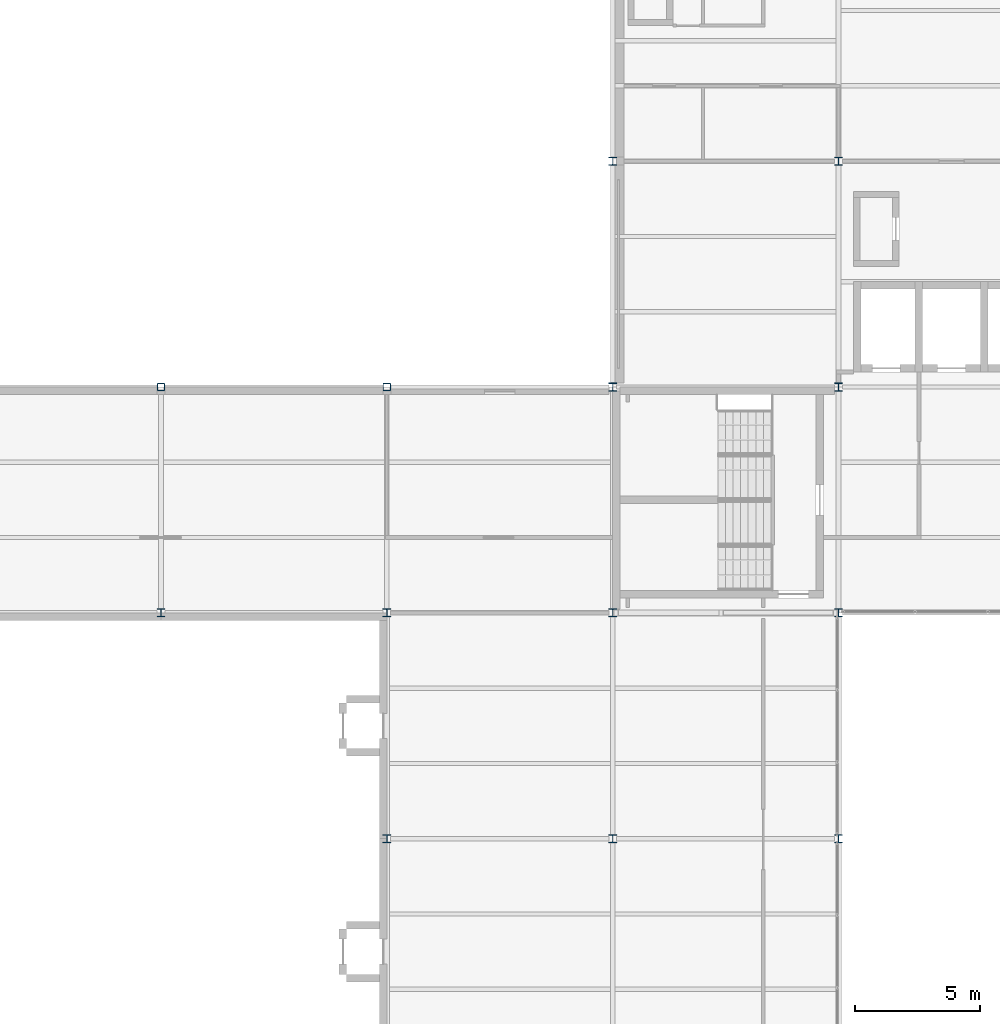
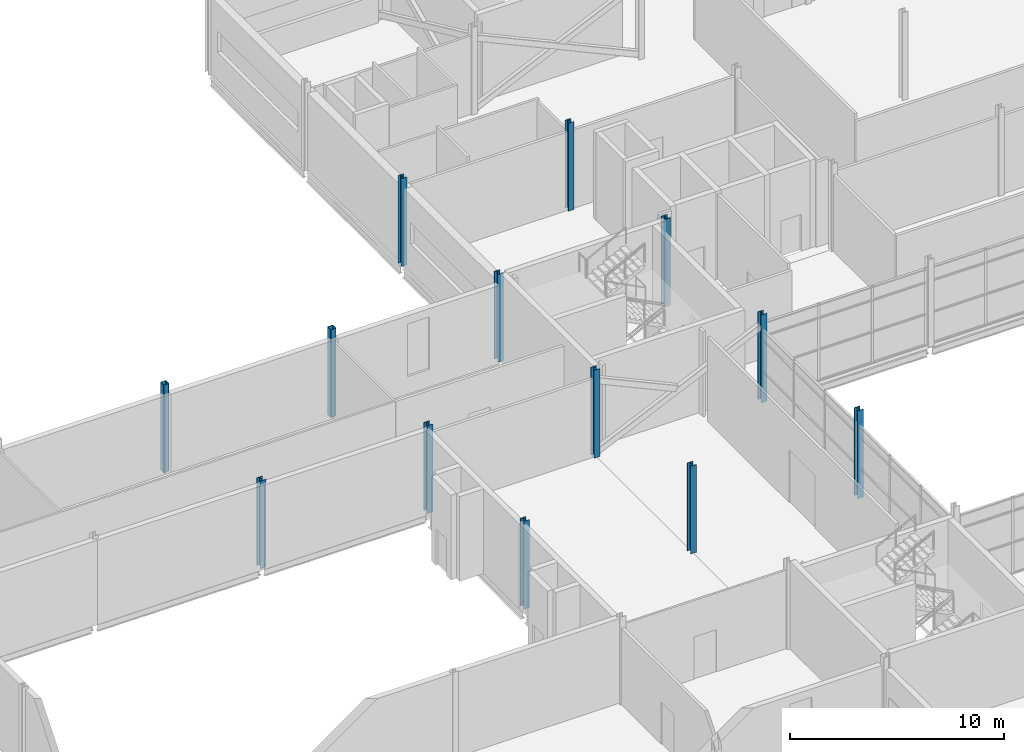
# One storey, part 9 of 112: 13 columns.
"""IFC4 building model written with IfcOpenShell, lengths in metres."""

import ifcopenshell
import ifcopenshell.guid

model = None  # the IFC model being written
_history = None  # IfcOwnerHistory: only IFC2X3 demands one
_inside = {}  # id of a spatial element -> (the spatial element, [elements in it])
_under = {}  # id of a project, library or spatial element -> (it, [spatial elements below it])
_declared = {}  # id of a project -> (the project, [libraries it declares])
_typed = {}  # id of a type object -> (the type object, [elements of that type])
_made_of = {}  # id of a material, layer set ... -> (it, [elements and type objects made of it])


def new_model(schema):
    """Start an empty IFC model of exactly this schema.

    Asked for "IFC4X3", IfcOpenShell would pick the latest addendum, in which some entities
    have other attributes; the version numbers below select the first issue.
    IFC2X3 requires an IfcOwnerHistory on every rooted entity: one is made here for all.
    """
    global model, _history
    if schema == "IFC4X3":
        model = ifcopenshell.file(schema_version=(4, 3, 0, 0))
    else:
        model = ifcopenshell.file(schema=schema)
    _inside.clear()
    _under.clear()
    _declared.clear()
    _typed.clear()
    _made_of.clear()
    _history = None
    if model.schema == "IFC2X3":
        org = make("IfcOrganization", Name="unknown")
        user = make(
            "IfcPersonAndOrganization",
            ThePerson=make("IfcPerson", FamilyName="unknown"),
            TheOrganization=org,
        )
        app = make(
            "IfcApplication",
            ApplicationDeveloper=org,
            Version="unknown",
            ApplicationFullName="unknown",
            ApplicationIdentifier="unknown",
        )
        _history = make(
            "IfcOwnerHistory",
            OwningUser=user,
            OwningApplication=app,
            ChangeAction="ADDED",
            CreationDate=0,
        )
    return model


def make(cls, **values):
    """One entity of the class cls with the attributes given. An attribute that is None is left unset."""
    return model.create_entity(
        cls, **{name: value for name, value in values.items() if value is not None}
    )


def rooted(cls, **values):
    """An entity with a GlobalId (a new one), such as an element, a storey or a relation."""
    return make(cls, GlobalId=ifcopenshell.guid.new(), OwnerHistory=_history, **values)


def si_unit(unit_type, name, prefix=None):
    """IfcSIUnit, for example si_unit("LENGTHUNIT", "METRE", prefix="MILLI")."""
    return make("IfcSIUnit", UnitType=unit_type, Prefix=prefix, Name=name)


def assignment(units):
    """IfcUnitAssignment: the units of a project."""
    return None if units is None else make("IfcUnitAssignment", Units=units)


def point(xyz):
    """IfcCartesianPoint."""
    return None if xyz is None else make("IfcCartesianPoint", Coordinates=xyz)


def direction(xyz):
    """IfcDirection."""
    return None if xyz is None else make("IfcDirection", DirectionRatios=xyz)


def frame(location, z_axis=None, x_axis=None):
    """IfcAxis2Placement3D, a coordinate frame: its origin and axes. An axis left out is left unset."""
    return make(
        "IfcAxis2Placement3D",
        Location=point(location),
        Axis=direction(z_axis),
        RefDirection=direction(x_axis),
    )


def frame_2d(location, x_axis=None):
    """IfcAxis2Placement2D, a coordinate frame in the plane: its origin and x axis."""
    return make(
        "IfcAxis2Placement2D", Location=point(location), RefDirection=direction(x_axis)
    )


def origin():
    """The frame at (0, 0, 0) with its axes left unset."""
    return frame((0.0, 0.0, 0.0))


def origin_2d():
    """The frame at (0, 0) in the plane with its x axis left unset."""
    return frame_2d((0.0, 0.0))


def place(relative_to, where):
    """IfcLocalPlacement: puts the frame where relative to a parent placement (None: the world)."""
    return make(
        "IfcLocalPlacement", PlacementRelTo=relative_to, RelativePlacement=where
    )


def context(
    kind, dimensions, precision=None, world=None, true_north=None, identifier=None
):
    """IfcGeometricRepresentationContext, for example the 3D "Model" context."""
    return make(
        "IfcGeometricRepresentationContext",
        ContextIdentifier=identifier,
        ContextType=kind,
        CoordinateSpaceDimension=dimensions,
        Precision=precision,
        WorldCoordinateSystem=world,
        TrueNorth=true_north,
    )


def subcontext(parent, identifier, kind, view, scale=None):
    """IfcGeometricRepresentationSubContext, for example "Body" below "Model"."""
    return make(
        "IfcGeometricRepresentationSubContext",
        ContextIdentifier=identifier,
        ContextType=kind,
        ParentContext=parent,
        TargetScale=scale,
        TargetView=view,
    )


def project(units=None, contexts=None):
    """IfcProject with its units and contexts."""
    return rooted(
        "IfcProject",
        Name="project",
        RepresentationContexts=contexts,
        UnitsInContext=assignment(units),
    )


def spatial(cls, under=None, at=None, **own):
    """A site, building, storey or space (cls), placed at a placement, below another one or the project."""
    s = rooted(cls, ObjectPlacement=at, **own)
    if under is not None:
        _under.setdefault(under.id(), (under, []))[1].append(s)
    return s


def profile(cls, at=None, kind="AREA", **sizes):
    """A parametric profile (cls). Its sizes go by their IFC names, for example OverallWidth=200.0."""
    return make(cls, ProfileType=kind, Position=at, **sizes)


def hollow_rectangle(**sizes):
    """IfcRectangleHollowProfileDef."""
    return profile("IfcRectangleHollowProfileDef", **sizes)


def i_section(**sizes):
    """IfcIShapeProfileDef."""
    return profile("IfcIShapeProfileDef", **sizes)


def extrude(swept, where, along, depth):
    """IfcExtrudedAreaSolid: the profile swept, set in the frame where, extruded along a direction by depth."""
    return make(
        "IfcExtrudedAreaSolid",
        SweptArea=swept,
        Position=where,
        ExtrudedDirection=direction(along),
        Depth=depth,
    )


def shape(context_of_items, identifier, shape_type, items):
    """IfcShapeRepresentation: the items that make up one representation, for example the "Body"."""
    return make(
        "IfcShapeRepresentation",
        ContextOfItems=context_of_items,
        RepresentationIdentifier=identifier,
        RepresentationType=shape_type,
        Items=items,
    )


def material(Name=None, Category=None):
    """IfcMaterial."""
    return make("IfcMaterial", Name=Name, Category=Category)


def material_profile(
    of_material, cross_section, Name=None, Category=None, Priority=None
):
    """IfcMaterialProfile: a cross section and its material."""
    return make(
        "IfcMaterialProfile",
        Name=Name,
        Material=of_material,
        Profile=cross_section,
        Priority=Priority,
        Category=Category,
    )


def profile_set(profiles, Name=None, composite=None):
    """IfcMaterialProfileSet."""
    return make(
        "IfcMaterialProfileSet",
        Name=Name,
        MaterialProfiles=profiles,
        CompositeProfile=composite,
    )


def made_of(thing, what):
    """Note that an element or type object is made of a material, layer set ...; save() writes the relation."""
    if what is not None:
        _made_of.setdefault(what.id(), (what, []))[1].append(thing)
    return thing


def type_object(cls, material=None, **own):
    """A type object (cls), such as IfcWallType, which elements share."""
    return made_of(rooted(cls, **own), material)


def element(
    cls,
    number,
    at=None,
    inside=None,
    cuts=None,
    type_object=None,
    material=None,
    context=None,
    identifier="Body",
    shape_type=None,
    held_by="IfcProductDefinitionShape",
    body=None,
    shapes=None,
    **own,
):
    """One element of the class cls, such as IfcWall. Its Tag is "e" and its number.

    at: its placement. inside: the storey or other place that contains it. cuts: it is an
    opening in that element (IfcRelVoidsElement). A single representation is given by context,
    identifier, shape_type and body (its items); several are given by shapes. held_by: the class
    of the entity that holds the representations. save() writes the other relations.
    """
    e = rooted(cls, Tag="e%d" % number, ObjectPlacement=at, **own)
    if body is not None:
        shapes = [shape(context, identifier, shape_type, body)]
    if shapes is not None:
        e.Representation = make(held_by, Representations=shapes)
    if inside is not None:
        _inside.setdefault(inside.id(), (inside, []))[1].append(e)
    if cuts is not None:
        rooted(
            "IfcRelVoidsElement", RelatingBuildingElement=cuts, RelatedOpeningElement=e
        )
    if type_object is not None:
        _typed.setdefault(type_object.id(), (type_object, []))[1].append(e)
    return made_of(e, material)


def aggregate(whole, parts):
    """IfcRelAggregates: a whole, such as a stair, and the parts it consists of."""
    return rooted("IfcRelAggregates", RelatingObject=whole, RelatedObjects=parts)


def save(model, path):
    """Write the relations noted so far, then the file.

    IfcRelAggregates (storeys below a building ...), IfcRelContainedInSpatialStructure (elements
    in a storey), IfcRelDefinesByType, IfcRelAssociatesMaterial and IfcRelDeclares: one each for
    every whole, place, type object, material and project.
    """
    for whole, parts in _under.values():
        aggregate(whole, parts)
    for where, things in _inside.values():
        rooted(
            "IfcRelContainedInSpatialStructure",
            RelatedElements=things,
            RelatingStructure=where,
        )
    for kind, things in _typed.values():
        rooted("IfcRelDefinesByType", RelatedObjects=things, RelatingType=kind)
    for what, things in _made_of.values():
        rooted("IfcRelAssociatesMaterial", RelatedObjects=things, RelatingMaterial=what)
    for by, libraries in _declared.values():
        rooted("IfcRelDeclares", RelatingContext=by, RelatedDefinitions=libraries)
    model.write(path)


model = new_model("IFC4")

# Units and contexts
model_context = context("Model", 3, precision=1e-05, world=origin(), true_north=direction((0.0, 1.0)))
body_context = subcontext(model_context, "Body", "Model", "MODEL_VIEW")
ifc_project = project(units=[si_unit("LENGTHUNIT", "METRE"), si_unit("AREAUNIT", "SQUARE_METRE"), si_unit("VOLUMEUNIT", "CUBIC_METRE"), si_unit("PLANEANGLEUNIT", "RADIAN"), si_unit("MASSUNIT", "GRAM", prefix="KILO")], contexts=[model_context])

# Site, building, storey
site_placement = place(None, origin())
site = spatial("IfcSite", under=ifc_project, at=site_placement, CompositionType="ELEMENT")
building_placement = place(site_placement, origin())
building = spatial("IfcBuilding", under=site, at=building_placement, Name="Shorebreak Coast Museum", CompositionType="ELEMENT")
storey_placement = place(building_placement, frame((0.0, 0.0, 6.0)))
storey = spatial("IfcBuildingStorey", under=building, at=storey_placement, Name="L01", CompositionType="ELEMENT", Elevation=6.0)

# Columns
ifc_material_1 = material(Name="Steel Grade C450L0", Category="steel")
ifc_material_profile_1 = material_profile(ifc_material_1, hollow_rectangle(XDim=0.300048828125, YDim=0.300048828125, WallThickness=0.012451171875, InnerFilletRadius=0.018798828125, OuterFilletRadius=0.03125, at=origin_2d()), Name="300x300x12.5 SHS")
ifc_profile_set_1 = profile_set([ifc_material_profile_1], Name="Steel Grade C450L0")
column_type_1 = type_object("IfcColumnType", Name="Column 300x300x12.5 SHS", PredefinedType="COLUMN", material=ifc_profile_set_1)
for number, where, z_axis, x_axis, name in (
    (1, (36.0, 90.0, 0.0), (0.0, 0.0, 1.0), (1.0, 0.0, 0.0), "Column L01 5L"),
    (2, (45.0, 90.0, 0.0), (0.0, 0.0, 1.0), (1.0, 0.0, 0.0), "Column L01 6L"),
):
    element("IfcColumn", number, at=place(storey_placement, frame(where, z_axis=z_axis, x_axis=x_axis)), inside=storey, type_object=column_type_1, Name=name, PredefinedType="COLUMN", context=body_context, shape_type="SweptSolid", body=[
        extrude(hollow_rectangle(XDim=0.300048828125, YDim=0.300048828125, WallThickness=0.012451171875, InnerFilletRadius=0.018798828125, OuterFilletRadius=0.03125, at=origin_2d()), origin(), (0.0, 0.0, 1.0), 5.0),
    ])
ifc_material_2 = material(Name="Steel Grade 300", Category="steel")
ifc_material_profile_2 = material_profile(ifc_material_2, i_section(OverallWidth=0.30908203125, OverallDepth=0.320556640625, WebThickness=0.013916015625, FlangeThickness=0.021728515625, FilletRadius=0.0166015625, at=origin_2d()), Name="310UC137")
ifc_profile_set_2 = profile_set([ifc_material_profile_2], Name="Steel Grade 300")
column_type_2 = type_object("IfcColumnType", Name="Column 310UC137", PredefinedType="COLUMN", material=ifc_profile_set_2)
for number, where, z_axis, x_axis, name in (
    (3, (54.0, 72.0, 0.0), (0.0, 0.0, 1.0), (1.0, 0.0, 0.0), "Column L01 7J"),
    (4, (54.0, 81.0, 0.0), (0.0, 0.0, 1.0), (1.0, 0.0, 0.0), "Column L01 7K"),
    (5, (54.0, 99.0, 0.0), (0.0, 0.0, 1.0), (1.0, 0.0, 0.0), "Column L01 7M"),
    (6, (63.0, 99.0, 0.0), (0.0, 0.0, 1.0), (1.0, 0.0, 0.0), "Column L01 8M"),
):
    element("IfcColumn", number, at=place(storey_placement, frame(where, z_axis=z_axis, x_axis=x_axis)), inside=storey, type_object=column_type_2, Name=name, PredefinedType="COLUMN", context=body_context, shape_type="SweptSolid", body=[
        extrude(i_section(OverallWidth=0.30908203125, OverallDepth=0.320556640625, WebThickness=0.013916015625, FlangeThickness=0.021728515625, FilletRadius=0.0166015625, at=origin_2d()), origin(), (0.0, 0.0, 1.0), 5.0),
    ])
ifc_material_3 = material(Name="Steel Grade 300", Category="steel")
ifc_material_profile_3 = material_profile(ifc_material_3, i_section(OverallWidth=0.31103515625, OverallDepth=0.3271484375, WebThickness=0.015625, FlangeThickness=0.02490234375, FilletRadius=0.0166015625, at=origin_2d()), Name="310UC158")
ifc_profile_set_3 = profile_set([ifc_material_profile_3], Name="Steel Grade 300")
column_type_3 = type_object("IfcColumnType", Name="Column 310UC158", PredefinedType="COLUMN", material=ifc_profile_set_3)
for number, where, z_axis, x_axis, name in (
    (7, (45.0, 72.0, 0.0), (0.0, 0.0, 1.0), (1.0, 0.0, 0.0), "Column L01 6J"),
    (8, (63.0, 72.0, 0.0), (0.0, 0.0, 1.0), (1.0, 0.0, 0.0), "Column L01 8J"),
    (9, (36.0, 81.0, 0.0), (0.0, 0.0, 1.0), (1.0, 0.0, 0.0), "Column L01 5K"),
    (10, (45.0, 81.0, 0.0), (0.0, 0.0, 1.0), (1.0, 0.0, 0.0), "Column L01 6K"),
    (11, (63.0, 81.0, 0.0), (0.0, 0.0, 1.0), (1.0, 0.0, 0.0), "Column L01 8K"),
    (12, (54.0, 90.0, 0.0), (0.0, 0.0, 1.0), (1.0, 0.0, 0.0), "Column L01 7L"),
    (13, (63.0, 90.0, 0.0), (0.0, 0.0, 1.0), (1.0, 0.0, 0.0), "Column L01 8L"),
):
    element("IfcColumn", number, at=place(storey_placement, frame(where, z_axis=z_axis, x_axis=x_axis)), inside=storey, type_object=column_type_3, Name=name, PredefinedType="COLUMN", context=body_context, shape_type="SweptSolid", body=[
        extrude(i_section(OverallWidth=0.31103515625, OverallDepth=0.3271484375, WebThickness=0.015625, FlangeThickness=0.02490234375, FilletRadius=0.0166015625, at=origin_2d()), origin(), (0.0, 0.0, 1.0), 5.0),
    ])

save(model, "model.ifc")
